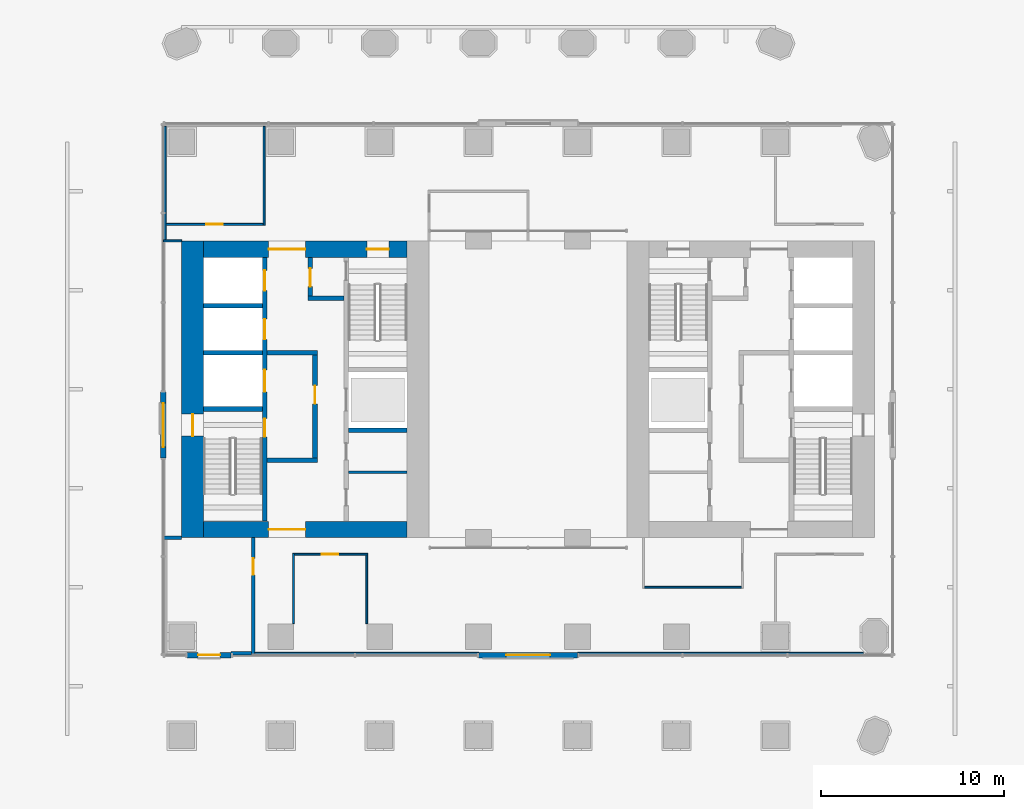
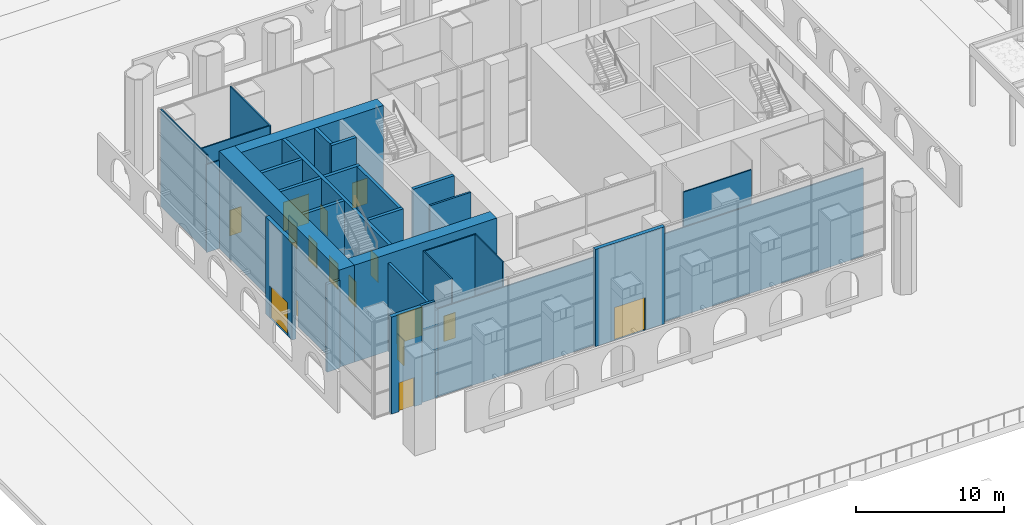
# One storey, part 30 of 54: 30 walls, 16 doors, 16 openings.
"""IFC4 building model written with IfcOpenShell, lengths in metres."""

from ifc_helpers import new_model, si_unit, direction, frame, frame_2d, origin, place, context, subcontext, project, spatial, rectangle, extrude, material, layer, layer_set, type_object, element, fill, save


model = new_model("IFC4")

# Units and contexts
model_context = context("Model", 3, precision=1e-05, world=origin(), true_north=direction((0.0, 1.0)))
body_context = subcontext(model_context, "Body", "Model", "MODEL_VIEW")
ifc_project = project(units=[si_unit("LENGTHUNIT", "METRE"), si_unit("AREAUNIT", "SQUARE_METRE"), si_unit("VOLUMEUNIT", "CUBIC_METRE"), si_unit("PLANEANGLEUNIT", "RADIAN"), si_unit("MASSUNIT", "GRAM", prefix="KILO")], contexts=[model_context])

# Site, building, storey
site_placement = place(None, origin())
site = spatial("IfcSite", under=ifc_project, at=site_placement, CompositionType="ELEMENT")
building_placement = place(site_placement, origin())
building = spatial("IfcBuilding", under=site, at=building_placement, Name="Tabaq Tower and Sports Hall", CompositionType="ELEMENT")
storey_placement = place(building_placement, origin())
storey = spatial("IfcBuildingStorey", under=building, at=storey_placement, Name="L00", CompositionType="ELEMENT", Elevation=0.0)

# Wall
ifc_material_1 = material(Name="Blockwork", Category="masonry")
ifc_layer_1 = layer(ifc_material_1, 0.14990234375)
ifc_layer_set_1 = layer_set([ifc_layer_1], Name="Core room partition 150 Blockwork")
wall_type_1 = type_object("IfcWallType", Name="Core room partition 150 Blockwork", PredefinedType="PARTITIONING", material=ifc_layer_set_1)
wall_1_placement = place(storey_placement, frame((14.5, 19.76708984375, 0.0), z_axis=(0.0, 0.0, 1.0), x_axis=(1.0, 0.0, 0.0)))
element("IfcWall", 1, at=wall_1_placement, inside=storey, type_object=wall_type_1, Name="Core room partition W L00", PredefinedType="PARTITIONING", context=body_context, shape_type="SweptSolid", body=[
    extrude(rectangle(XDim=3.199951171875, YDim=0.14990234375, at=frame_2d((1.60009765625, 0.0))), origin(), (0.0, 0.0, 1.0), 8.0),
])

# Wall, opening, door
ifc_material_2 = material(Name="Concrete C60/75", Category="concrete")
ifc_layer_2 = layer(ifc_material_2, 1.199951171875)
ifc_layer_set_2 = layer_set([ifc_layer_2], Name="Core wall 1200 Concrete C60/75")
wall_type_2 = type_object("IfcWallType", Name="Core wall 1200 Concrete C60/75", PredefinedType="SOLIDWALL", material=ifc_layer_set_2)
wall_2_placement = place(storey_placement, frame((6.0, 16.199951171875, 0.0), z_axis=(0.0, 0.0, 1.0), x_axis=(0.0, 1.0, 0.0)))
wall_2 = element("IfcWall", 2, at=wall_2_placement, inside=storey, type_object=wall_type_2, Name="Core wall W L00", PredefinedType="SOLIDWALL", context=body_context, shape_type="SweptSolid", body=[
    extrude(rectangle(XDim=16.199951171875, YDim=1.199951171875, at=frame_2d((8.10009765625, 0.0))), origin(), (0.0, 0.0, 1.0), 8.0),
])
opening_1_placement = place(wall_2_placement, frame((5.550048828125, 0.0, 0.0)))
opening_1 = element("IfcOpeningElement", 3, at=opening_1_placement, cuts=wall_2, Name="Opening ED-WL00-13", PredefinedType="OPENING", context=body_context, shape_type="SweptSolid", body=[
    extrude(rectangle(XDim=1.199951171875, YDim=2.10009765625, at=frame_2d((0.60009765625, 1.050048828125))), frame((0.0, 0.60009765625, 0.0), z_axis=(0.0, -1.0, 0.0), x_axis=(1.0, 0.0, 0.0)), (0.0, 0.0, 1.0), 1.199951171875),
])
ifc_material_3 = material(Name="Steel fire door", Category="steel")
door_type_1 = type_object("IfcDoorType", Name="Core exit door 1200", OperationType="DOUBLE_DOOR_SINGLE_SWING", PredefinedType="DOOR", material=ifc_material_3)
door_1_placement = place(opening_1_placement, origin())
door_1 = element("IfcDoor", 4, at=door_1_placement, inside=storey, type_object=door_type_1, Name="Exit door ST1 W L00", OperationType="DOUBLE_DOOR_SINGLE_SWING", OverallHeight=2.10009765625, OverallWidth=1.199951171875, PredefinedType="DOOR", context=body_context, shape_type="SweptSolid", body=[
    extrude(rectangle(XDim=1.199951171875, YDim=2.10009765625, at=frame_2d((0.60009765625, 1.050048828125))), frame((0.0, 0.02490234375, 0.0), z_axis=(0.0, -1.0, 0.0), x_axis=(1.0, 0.0, 0.0)), (0.0, 0.0, 1.0), 0.050048828125),
])
fill(opening_1, door_1)

ifc_material_4 = material(Name="Concrete C60/75", Category="concrete")
ifc_layer_3 = layer(ifc_material_4, 0.89990234375)
ifc_layer_set_3 = layer_set([ifc_layer_3], Name="Core wall 900 Concrete C60/75")
wall_type_3 = type_object("IfcWallType", Name="Core wall 900 Concrete C60/75", PredefinedType="SOLIDWALL", material=ifc_layer_set_3)
wall_3_placement = place(storey_placement, frame((17.699951171875, 16.64990234375, 0.0), z_axis=(0.0, 0.0, 1.0), x_axis=(-1.0, 0.0, 0.0)))
wall_3 = element("IfcWall", 5, at=wall_3_placement, inside=storey, type_object=wall_type_3, Name="Core wall W L00", PredefinedType="SOLIDWALL", context=body_context, shape_type="SweptSolid", body=[
    extrude(rectangle(XDim=11.099853515625, YDim=0.89990234375, at=frame_2d((5.5498046875, 0.0))), origin(), (0.0, 0.0, 1.0), 8.0),
])
opening_2_placement = place(wall_3_placement, frame((5.550048828125, 0.0, 0.0)))
opening_2 = element("IfcOpeningElement", 6, at=opening_2_placement, cuts=wall_3, Name="Opening PD-WL00-01", PredefinedType="OPENING", context=body_context, shape_type="SweptSolid", body=[
    extrude(rectangle(XDim=2.0, YDim=2.39990234375, at=frame_2d((1.0, 1.199951171875))), frame((0.0, 0.449951171875, 0.0), z_axis=(0.0, -1.0, 0.0), x_axis=(1.0, 0.0, 0.0)), (0.0, 0.0, 1.0), 0.89990234375),
])
ifc_material_5 = material(Name="Steel fire door", Category="steel")
door_type_2 = type_object("IfcDoorType", Name="Core entrance door 2000", OperationType="DOUBLE_DOOR_SINGLE_SWING", PredefinedType="DOOR", material=ifc_material_5)
door_2_placement = place(opening_2_placement, origin())
door_2 = element("IfcDoor", 7, at=door_2_placement, inside=storey, type_object=door_type_2, Name="Core entrance south W L00", OperationType="DOUBLE_DOOR_SINGLE_SWING", OverallHeight=2.39990234375, OverallWidth=2.0, PredefinedType="DOOR", context=body_context, shape_type="SweptSolid", body=[
    extrude(rectangle(XDim=2.0, YDim=2.39990234375, at=frame_2d((1.0, 1.199951171875))), frame((0.0, 0.02490234375, 0.0), z_axis=(0.0, -1.0, 0.0), x_axis=(1.0, 0.0, 0.0)), (0.0, 0.0, 1.0), 0.050048828125),
])
fill(opening_2, door_2)

# Wall, openings, doors
wall_4_placement = place(storey_placement, frame((6.60009765625, 31.949951171875, 0.0), z_axis=(0.0, 0.0, 1.0), x_axis=(1.0, 0.0, 0.0)))
wall_4 = element("IfcWall", 8, at=wall_4_placement, inside=storey, type_object=wall_type_3, Name="Core wall W L00", PredefinedType="SOLIDWALL", context=body_context, shape_type="SweptSolid", body=[
    extrude(rectangle(XDim=11.099853515625, YDim=0.89990234375, at=frame_2d((5.5498046875, 0.0))), origin(), (0.0, 0.0, 1.0), 8.0),
])
opening_3_placement = place(wall_4_placement, frame((3.550048828125, 0.0, 0.0)))
opening_3 = element("IfcOpeningElement", 9, at=opening_3_placement, cuts=wall_4, Name="Opening PD-WL00-02", PredefinedType="OPENING", context=body_context, shape_type="SweptSolid", body=[
    extrude(rectangle(XDim=2.0, YDim=2.39990234375, at=frame_2d((1.0, 1.199951171875))), frame((0.0, 0.449951171875, 0.0), z_axis=(0.0, -1.0, 0.0), x_axis=(1.0, 0.0, 0.0)), (0.0, 0.0, 1.0), 0.89990234375),
])
opening_4_placement = place(wall_4_placement, frame((8.89990234375, 0.0, 0.0)))
opening_4 = element("IfcOpeningElement", 10, at=opening_4_placement, cuts=wall_4, Name="Opening ED-WL00-14", PredefinedType="OPENING", context=body_context, shape_type="SweptSolid", body=[
    extrude(rectangle(XDim=1.199951171875, YDim=2.10009765625, at=frame_2d((0.60009765625, 1.050048828125))), frame((0.0, 0.449951171875, 0.0), z_axis=(0.0, -1.0, 0.0), x_axis=(1.0, 0.0, 0.0)), (0.0, 0.0, 1.0), 0.89990234375),
])
door_3_placement = place(opening_3_placement, origin())
door_3 = element("IfcDoor", 11, at=door_3_placement, inside=storey, type_object=door_type_2, Name="Core entrance north W L00", OperationType="DOUBLE_DOOR_SINGLE_SWING", OverallHeight=2.39990234375, OverallWidth=2.0, PredefinedType="DOOR", context=body_context, shape_type="SweptSolid", body=[
    extrude(rectangle(XDim=2.0, YDim=2.39990234375, at=frame_2d((1.0, 1.199951171875))), frame((0.0, 0.02490234375, 0.0), z_axis=(0.0, -1.0, 0.0), x_axis=(1.0, 0.0, 0.0)), (0.0, 0.0, 1.0), 0.050048828125),
])
fill(opening_3, door_3)
door_4_placement = place(opening_4_placement, origin())
door_4 = element("IfcDoor", 12, at=door_4_placement, inside=storey, type_object=door_type_1, Name="Exit door ST2 W L00", OperationType="DOUBLE_DOOR_SINGLE_SWING", OverallHeight=2.10009765625, OverallWidth=1.199951171875, PredefinedType="DOOR", context=body_context, shape_type="SweptSolid", body=[
    extrude(rectangle(XDim=1.199951171875, YDim=2.10009765625, at=frame_2d((0.60009765625, 1.050048828125))), frame((0.0, 0.02490234375, 0.0), z_axis=(0.0, -1.0, 0.0), x_axis=(1.0, 0.0, 0.0)), (0.0, 0.0, 1.0), 0.050048828125),
])
fill(opening_4, door_4)

# Wall, opening, door
ifc_material_6 = material(Name="Blockwork", Category="masonry")
ifc_layer_4 = layer(ifc_material_6, 0.199951171875)
ifc_layer_set_4 = layer_set([ifc_layer_4], Name="Fire compartment wall 200 Blockwork")
wall_type_4 = type_object("IfcWallType", Name="Fire compartment wall 200 Blockwork", PredefinedType="PARTITIONING", material=ifc_layer_set_4)
wall_5_placement = place(storey_placement, frame((9.300048828125, 9.800048828125, 0.0), z_axis=(0.0, 0.0, 1.0), x_axis=(0.0, 1.0, 0.0)))
wall_5 = element("IfcWall", 13, at=wall_5_placement, inside=storey, type_object=wall_type_4, Name="Compartment wall L00", PredefinedType="PARTITIONING", context=body_context, shape_type="SweptSolid", body=[
    extrude(rectangle(XDim=6.39990234375, YDim=0.199951171875, at=frame_2d((3.199951171875, 0.0))), origin(), (0.0, 0.0, 1.0), 7.25),
])
opening_5_placement = place(wall_5_placement, frame((4.375, 0.0, 0.0)))
opening_5 = element("IfcOpeningElement", 14, at=opening_5_placement, cuts=wall_5, Name="Opening L00-002", PredefinedType="OPENING", context=body_context, shape_type="SweptSolid", body=[
    extrude(rectangle(XDim=0.89990234375, YDim=2.10009765625, at=frame_2d((0.449951171875, 1.050048828125))), frame((0.0, 0.10009765625, 0.0), z_axis=(0.0, -1.0, 0.0), x_axis=(1.0, 0.0, 0.0)), (0.0, 0.0, 1.0), 0.199951171875),
])
ifc_material_7 = material(Name="Steel fire door", Category="steel")
door_type_3 = type_object("IfcDoorType", Name="Plant room door 900 right hand", OperationType="SINGLE_SWING_RIGHT", PredefinedType="DOOR", material=ifc_material_7)
door_5_placement = place(opening_5_placement, origin())
door_5 = element("IfcDoor", 15, at=door_5_placement, inside=storey, type_object=door_type_3, Name="Plant room door L00-002", OperationType="SINGLE_SWING_RIGHT", OverallHeight=2.10009765625, OverallWidth=0.89990234375, PredefinedType="DOOR", context=body_context, shape_type="SweptSolid", body=[
    extrude(rectangle(XDim=0.89990234375, YDim=2.10009765625, at=frame_2d((0.449951171875, 1.050048828125))), frame((0.0, 0.02490234375, 0.0), z_axis=(0.0, -1.0, 0.0), x_axis=(1.0, 0.0, 0.0)), (0.0, 0.0, 1.0), 0.050048828125),
])
fill(opening_5, door_5)

# Walls
wall_6_placement = place(storey_placement, frame((5.39990234375, 16.199951171875, 0.0), z_axis=(0.0, 0.0, 1.0), x_axis=(-1.0, 0.0, 0.0)))
element("IfcWall", 16, at=wall_6_placement, inside=storey, type_object=wall_type_4, Name="Compartment wall L00", PredefinedType="PARTITIONING", context=body_context, shape_type="SweptSolid", body=[
    extrude(rectangle(XDim=1.0, YDim=0.199951171875, at=frame_2d((0.5, 0.0))), origin(), (0.0, 0.0, 1.0), 7.25),
])
wall_7_placement = place(storey_placement, frame((8.10009765625, 9.89990234375, 0.0), z_axis=(0.0, 0.0, 1.0), x_axis=(1.0, 0.0, 0.0)))
element("IfcWall", 17, at=wall_7_placement, inside=storey, type_object=wall_type_4, Name="Compartment wall L00", PredefinedType="PARTITIONING", context=body_context, shape_type="SweptSolid", body=[
    extrude(rectangle(XDim=1.099853515625, YDim=0.199951171875, at=frame_2d((0.5498046875, 0.0))), origin(), (0.0, 0.0, 1.0), 8.0),
])
ifc_material_8 = material(Name="Gypsum board on steel studs", Category="steel")
ifc_layer_5 = layer(ifc_material_8, 0.10009765625)
ifc_layer_set_5 = layer_set([ifc_layer_5], Name="Partition 100 Gypsum board")
wall_type_5 = type_object("IfcWallType", Name="Partition 100 Gypsum board", PredefinedType="PARTITIONING", material=ifc_layer_set_5)
wall_8_placement = place(storey_placement, frame((9.89990234375, 38.64990234375, 0.0), z_axis=(0.0, 0.0, 1.0), x_axis=(0.0, -1.0, 0.0)))
element("IfcWall", 18, at=wall_8_placement, inside=storey, type_object=wall_type_5, Name="Partition wall L00", PredefinedType="PARTITIONING", context=body_context, shape_type="SweptSolid", body=[
    extrude(rectangle(XDim=5.39990234375, YDim=0.10009765625, at=frame_2d((2.699951171875, 0.0))), origin(), (0.0, 0.0, 1.0), 8.0),
])

# Wall, opening, door
wall_9_placement = place(storey_placement, frame((9.85009765625, 33.300048828125, 0.0), z_axis=(0.0, 0.0, 1.0), x_axis=(-1.0, 0.0, 0.0)))
wall_9 = element("IfcWall", 19, at=wall_9_placement, inside=storey, type_object=wall_type_5, Name="Partition wall L00", PredefinedType="PARTITIONING", context=body_context, shape_type="SweptSolid", body=[
    extrude(rectangle(XDim=5.300048828125, YDim=0.10009765625, at=frame_2d((2.64990234375, 0.0))), origin(), (0.0, 0.0, 1.0), 8.0),
])
opening_6_placement = place(wall_9_placement, frame((2.199951171875, 0.0, 0.0)))
opening_6 = element("IfcOpeningElement", 20, at=opening_6_placement, cuts=wall_9, Name="Opening L00-003", PredefinedType="OPENING", context=body_context, shape_type="SweptSolid", body=[
    extrude(rectangle(XDim=0.89990234375, YDim=2.10009765625, at=frame_2d((0.449951171875, 1.050048828125))), frame((0.0, 0.050048828125, 0.0), z_axis=(0.0, -1.0, 0.0), x_axis=(1.0, 0.0, 0.0)), (0.0, 0.0, 1.0), 0.10009765625),
])
ifc_material_9 = material(Name="Timber leaf in steel frame", Category="steel")
door_type_4 = type_object("IfcDoorType", Name="Internal door 900 right hand", OperationType="SINGLE_SWING_RIGHT", PredefinedType="DOOR", material=ifc_material_9)
door_6_placement = place(opening_6_placement, origin())
door_6 = element("IfcDoor", 21, at=door_6_placement, inside=storey, type_object=door_type_4, Name="Internal door L00-003", OperationType="SINGLE_SWING_RIGHT", OverallHeight=2.10009765625, OverallWidth=0.89990234375, PredefinedType="DOOR", context=body_context, shape_type="SweptSolid", body=[
    extrude(rectangle(XDim=0.89990234375, YDim=2.10009765625, at=frame_2d((0.449951171875, 1.050048828125))), frame((0.0, 0.02490234375, 0.0), z_axis=(0.0, -1.0, 0.0), x_axis=(1.0, 0.0, 0.0)), (0.0, 0.0, 1.0), 0.050048828125),
])
fill(opening_6, door_6)

# Walls
wall_10_placement = place(storey_placement, frame((4.39990234375, 32.39990234375, 0.0), z_axis=(0.0, 0.0, 1.0), x_axis=(1.0, 0.0, 0.0)))
element("IfcWall", 22, at=wall_10_placement, inside=storey, type_object=wall_type_5, Name="Partition wall L00", PredefinedType="PARTITIONING", context=body_context, shape_type="SweptSolid", body=[
    extrude(rectangle(XDim=1.0, YDim=0.10009765625, at=frame_2d((0.5, 0.0))), origin(), (0.0, 0.0, 1.0), 7.25),
])
wall_11_placement = place(storey_placement, frame((11.5, 11.52001953125, 0.0), z_axis=(0.0, 0.0, 1.0), x_axis=(0.0, 1.0, 0.0)))
element("IfcWall", 23, at=wall_11_placement, inside=storey, type_object=wall_type_5, Name="Partition wall L00", PredefinedType="PARTITIONING", context=body_context, shape_type="SweptSolid", body=[
    extrude(rectangle(XDim=3.830078125, YDim=0.10009765625, at=frame_2d((1.9150390625, 0.0))), origin(), (0.0, 0.0, 1.0), 8.0),
])

# Wall, opening, door
wall_12_placement = place(storey_placement, frame((11.550048828125, 15.300048828125, 0.0), z_axis=(0.0, 0.0, 1.0), x_axis=(1.0, 0.0, 0.0)))
wall_12 = element("IfcWall", 24, at=wall_12_placement, inside=storey, type_object=wall_type_5, Name="Partition wall L00", PredefinedType="PARTITIONING", context=body_context, shape_type="SweptSolid", body=[
    extrude(rectangle(XDim=4.0, YDim=0.10009765625, at=frame_2d((2.0, 0.0))), origin(), (0.0, 0.0, 1.0), 8.0),
])
opening_7_placement = place(wall_12_placement, frame((1.5, 0.0, 0.0)))
opening_7 = element("IfcOpeningElement", 25, at=opening_7_placement, cuts=wall_12, Name="Opening L00-005", PredefinedType="OPENING", context=body_context, shape_type="SweptSolid", body=[
    extrude(rectangle(XDim=0.89990234375, YDim=2.10009765625, at=frame_2d((0.449951171875, 1.050048828125))), frame((0.0, 0.050048828125, 0.0), z_axis=(0.0, -1.0, 0.0), x_axis=(1.0, 0.0, 0.0)), (0.0, 0.0, 1.0), 0.10009765625),
])
door_7_placement = place(opening_7_placement, origin())
door_7 = element("IfcDoor", 26, at=door_7_placement, inside=storey, type_object=door_type_4, Name="Internal door L00-005", OperationType="SINGLE_SWING_RIGHT", OverallHeight=2.10009765625, OverallWidth=0.89990234375, PredefinedType="DOOR", context=body_context, shape_type="SweptSolid", body=[
    extrude(rectangle(XDim=0.89990234375, YDim=2.10009765625, at=frame_2d((0.449951171875, 1.050048828125))), frame((0.0, 0.02490234375, 0.0), z_axis=(0.0, -1.0, 0.0), x_axis=(1.0, 0.0, 0.0)), (0.0, 0.0, 1.0), 0.050048828125),
])
fill(opening_7, door_7)

# Walls
wall_13_placement = place(storey_placement, frame((15.5, 15.25, 0.0), z_axis=(0.0, 0.0, 1.0), x_axis=(0.0, -1.0, 0.0)))
element("IfcWall", 27, at=wall_13_placement, inside=storey, type_object=wall_type_5, Name="Partition wall L00", PredefinedType="PARTITIONING", context=body_context, shape_type="SweptSolid", body=[
    extrude(rectangle(XDim=3.72998046875, YDim=0.10009765625, at=frame_2d((1.864990234375, 0.0))), origin(), (0.0, 0.0, 1.0), 8.0),
])
wall_14_placement = place(storey_placement, frame((35.949951171875, 13.5, 0.0), z_axis=(0.0, 0.0, 1.0), x_axis=(-1.0, 0.0, 0.0)))
element("IfcWall", 28, at=wall_14_placement, inside=storey, type_object=wall_type_5, Name="Partition wall L00", PredefinedType="PARTITIONING", context=body_context, shape_type="SweptSolid", body=[
    extrude(rectangle(XDim=5.300048828125, YDim=0.10009765625, at=frame_2d((2.64990234375, 0.0))), origin(), (0.0, 0.0, 1.0), 7.25),
])
wall_15_placement = place(storey_placement, frame((4.5, 38.64990234375, 0.0), z_axis=(0.0, 0.0, 1.0), x_axis=(0.0, -1.0, 0.0)))
element("IfcWall", 29, at=wall_15_placement, inside=storey, type_object=wall_type_5, Name="Partition wall L00", PredefinedType="PARTITIONING", context=body_context, shape_type="SweptSolid", body=[
    extrude(rectangle(XDim=6.199951171875, YDim=0.10009765625, at=frame_2d((3.10009765625, 0.0))), origin(), (0.0, 0.0, 1.0), 8.0),
])
wall_16_placement = place(storey_placement, frame((9.39990234375, 9.89990234375, 0.0), z_axis=(0.0, 0.0, 1.0), x_axis=(1.0, 0.0, 0.0)))
element("IfcWall", 30, at=wall_16_placement, inside=storey, type_object=wall_type_5, Name="Partition wall L00", PredefinedType="PARTITIONING", context=body_context, shape_type="SweptSolid", body=[
    extrude(rectangle(XDim=12.2001953125, YDim=0.10009765625, at=frame_2d((6.10009765625, 0.0))), origin(), (0.0, 0.0, 1.0), 7.25),
])
wall_17_placement = place(storey_placement, frame((27.0, 9.89990234375, 0.0), z_axis=(0.0, 0.0, 1.0), x_axis=(1.0, 0.0, 0.0)))
element("IfcWall", 31, at=wall_17_placement, inside=storey, type_object=wall_type_5, Name="Partition wall L00", PredefinedType="PARTITIONING", context=body_context, shape_type="SweptSolid", body=[
    extrude(rectangle(XDim=15.60009765625, YDim=0.10009765625, at=frame_2d((7.800048828125, 0.0))), origin(), (0.0, 0.0, 1.0), 7.25),
])

# Wall, openings, doors
ifc_material_10 = material(Name="Concrete C40/50", Category="concrete")
ifc_layer_6 = layer(ifc_material_10, 0.25)
ifc_layer_set_6 = layer_set([ifc_layer_6], Name="Shaft and stair wall 250 Concrete C40/50")
wall_type_6 = type_object("IfcWallType", Name="Shaft and stair wall 250 Concrete C40/50", PredefinedType="SOLIDWALL", material=ifc_layer_set_6)
wall_18_placement = place(storey_placement, frame((9.925048828125, 17.10009765625, 0.0), z_axis=(0.0, 0.0, 1.0), x_axis=(0.0, 1.0, 0.0)))
wall_18 = element("IfcWall", 32, at=wall_18_placement, inside=storey, type_object=wall_type_6, Name="Shaft wall W L00", PredefinedType="SOLIDWALL", context=body_context, shape_type="SweptSolid", body=[
    extrude(rectangle(XDim=14.39990234375, YDim=0.25, at=frame_2d((7.199951171875, 0.0))), origin(), (0.0, 0.0, 1.0), 8.0),
])
opening_8_placement = place(wall_18_placement, frame((4.60009765625, 0.0, 0.0)))
opening_8 = element("IfcOpeningElement", 33, at=opening_8_placement, cuts=wall_18, Name="Opening SD-WL00-03", PredefinedType="OPENING", context=body_context, shape_type="SweptSolid", body=[
    extrude(rectangle(XDim=1.0, YDim=2.10009765625, at=frame_2d((0.5, 1.050048828125))), frame((0.0, 0.125, 0.0), z_axis=(0.0, -1.0, 0.0), x_axis=(1.0, 0.0, 0.0)), (0.0, 0.0, 1.0), 0.25),
])
opening_9_placement = place(wall_18_placement, frame((7.0625, 0.0, 0.0)))
opening_9 = element("IfcOpeningElement", 34, at=opening_9_placement, cuts=wall_18, Name="Opening LD-FF1-L00", PredefinedType="OPENING", context=body_context, shape_type="SweptSolid", body=[
    extrude(rectangle(XDim=1.199951171875, YDim=2.10009765625, at=frame_2d((0.60009765625, 1.050048828125))), frame((0.0, 0.125, 0.0), z_axis=(0.0, -1.0, 0.0), x_axis=(1.0, 0.0, 0.0)), (0.0, 0.0, 1.0), 0.25),
])
opening_10_placement = place(wall_18_placement, frame((9.925048828125, 0.0, 0.0)))
opening_10 = element("IfcOpeningElement", 35, at=opening_10_placement, cuts=wall_18, Name="Opening LD-LR1-L00", PredefinedType="OPENING", context=body_context, shape_type="SweptSolid", body=[
    extrude(rectangle(XDim=1.10009765625, YDim=2.10009765625, at=frame_2d((0.550048828125, 1.050048828125))), frame((0.0, 0.125, 0.0), z_axis=(0.0, -1.0, 0.0), x_axis=(1.0, 0.0, 0.0)), (0.0, 0.0, 1.0), 0.25),
])
opening_11_placement = place(wall_18_placement, frame((12.58740234375, 0.0, 0.0)))
opening_11 = element("IfcOpeningElement", 36, at=opening_11_placement, cuts=wall_18, Name="Opening LD-LR2-L00", PredefinedType="OPENING", context=body_context, shape_type="SweptSolid", body=[
    extrude(rectangle(XDim=1.10009765625, YDim=2.10009765625, at=frame_2d((0.550048828125, 1.050048828125))), frame((0.0, 0.125, 0.0), z_axis=(0.0, -1.0, 0.0), x_axis=(1.0, 0.0, 0.0)), (0.0, 0.0, 1.0), 0.25),
])
ifc_material_11 = material(Name="Stainless steel", Category="steel")
door_type_5 = type_object("IfcDoorType", Name="Lift landing door 1100", OperationType="DOUBLE_DOOR_SLIDING", PredefinedType="DOOR", material=ifc_material_11)
door_8_placement = place(opening_10_placement, origin())
door_8 = element("IfcDoor", 37, at=door_8_placement, inside=storey, type_object=door_type_5, Name="Lift landing door LR1 W L00", OperationType="DOUBLE_DOOR_SLIDING", OverallHeight=2.10009765625, OverallWidth=1.10009765625, PredefinedType="DOOR", context=body_context, shape_type="SweptSolid", body=[
    extrude(rectangle(XDim=1.10009765625, YDim=2.10009765625, at=frame_2d((0.550048828125, 1.050048828125))), frame((0.0, 0.02490234375, 0.0), z_axis=(0.0, -1.0, 0.0), x_axis=(1.0, 0.0, 0.0)), (0.0, 0.0, 1.0), 0.050048828125),
])
fill(opening_10, door_8)
door_9_placement = place(opening_11_placement, origin())
door_9 = element("IfcDoor", 38, at=door_9_placement, inside=storey, type_object=door_type_5, Name="Lift landing door LR2 W L00", OperationType="DOUBLE_DOOR_SLIDING", OverallHeight=2.10009765625, OverallWidth=1.10009765625, PredefinedType="DOOR", context=body_context, shape_type="SweptSolid", body=[
    extrude(rectangle(XDim=1.10009765625, YDim=2.10009765625, at=frame_2d((0.550048828125, 1.050048828125))), frame((0.0, 0.02490234375, 0.0), z_axis=(0.0, -1.0, 0.0), x_axis=(1.0, 0.0, 0.0)), (0.0, 0.0, 1.0), 0.050048828125),
])
fill(opening_11, door_9)
ifc_material_12 = material(Name="Stainless steel", Category="steel")
door_type_6 = type_object("IfcDoorType", Name="Lift landing door 1200", OperationType="DOUBLE_DOOR_SLIDING", PredefinedType="DOOR", material=ifc_material_12)
door_10_placement = place(opening_9_placement, origin())
door_10 = element("IfcDoor", 39, at=door_10_placement, inside=storey, type_object=door_type_6, Name="Lift landing door FF1 W L00", OperationType="DOUBLE_DOOR_SLIDING", OverallHeight=2.10009765625, OverallWidth=1.199951171875, PredefinedType="DOOR", context=body_context, shape_type="SweptSolid", body=[
    extrude(rectangle(XDim=1.199951171875, YDim=2.10009765625, at=frame_2d((0.60009765625, 1.050048828125))), frame((0.0, 0.02490234375, 0.0), z_axis=(0.0, -1.0, 0.0), x_axis=(1.0, 0.0, 0.0)), (0.0, 0.0, 1.0), 0.050048828125),
])
fill(opening_9, door_10)
ifc_material_13 = material(Name="Steel fire door", Category="steel")
door_type_7 = type_object("IfcDoorType", Name="Stair door 1000", OperationType="SINGLE_SWING_LEFT", PredefinedType="DOOR", material=ifc_material_13)
door_11_placement = place(opening_8_placement, origin())
door_11 = element("IfcDoor", 40, at=door_11_placement, inside=storey, type_object=door_type_7, Name="Stair door ST1 W L00", OperationType="SINGLE_SWING_LEFT", OverallHeight=2.10009765625, OverallWidth=1.0, PredefinedType="DOOR", context=body_context, shape_type="SweptSolid", body=[
    extrude(rectangle(XDim=1.0, YDim=2.10009765625, at=frame_2d((0.5, 1.050048828125))), frame((0.0, 0.02490234375, 0.0), z_axis=(0.0, -1.0, 0.0), x_axis=(1.0, 0.0, 0.0)), (0.0, 0.0, 1.0), 0.050048828125),
])
fill(opening_8, door_11)

# Walls
for number, where, z_axis, x_axis, name in (
    (41, (6.60009765625, 23.22509765625, 0.0), (0.0, 0.0, 1.0), (1.0, 0.0, 0.0), "Stair enclosure wall W L00"),
    (42, (14.5, 22.074951171875, 0.0), (0.0, 0.0, 1.0), (1.0, 0.0, 0.0), "Shaft wall W L00"),
    (43, (6.60009765625, 26.300048828125, 0.0), (0.0, 0.0, 1.0), (1.0, 0.0, 0.0), "Shaft wall W L00"),
):
    element("IfcWall", number, at=place(storey_placement, frame(where, z_axis=z_axis, x_axis=x_axis)), inside=storey, type_object=wall_type_6, Name=name, PredefinedType="SOLIDWALL", context=body_context, shape_type="SweptSolid", body=[
        extrude(rectangle(XDim=3.199951171875, YDim=0.25, at=frame_2d((1.60009765625, 0.0))), origin(), (0.0, 0.0, 1.0), 8.0),
    ])
for number, where, z_axis, x_axis, name in (
    (44, (10.050048828125, 26.300048828125, 0.0), (0.0, 0.0, 1.0), (1.0, 0.0, 0.0), "Fire-fighting lobby wall W L00"),
    (45, (10.050048828125, 20.425048828125, 0.0), (0.0, 0.0, 1.0), (1.0, 0.0, 0.0), "Fire-fighting lobby wall W L00"),
):
    element("IfcWall", number, at=place(storey_placement, frame(where, z_axis=z_axis, x_axis=x_axis)), inside=storey, type_object=wall_type_6, Name=name, PredefinedType="SOLIDWALL", context=body_context, shape_type="SweptSolid", body=[
        extrude(rectangle(XDim=2.75, YDim=0.25, at=frame_2d((1.375, 0.0))), origin(), (0.0, 0.0, 1.0), 8.0),
    ])

# Wall, opening, door
wall_19_placement = place(storey_placement, frame((12.425048828125, 29.39990234375, 0.0), z_axis=(0.0, 0.0, 1.0), x_axis=(0.0, 1.0, 0.0)))
wall_19 = element("IfcWall", 46, at=wall_19_placement, inside=storey, type_object=wall_type_6, Name="Fire-fighting lobby wall W L00", PredefinedType="SOLIDWALL", context=body_context, shape_type="SweptSolid", body=[
    extrude(rectangle(XDim=2.10009765625, YDim=0.25, at=frame_2d((1.050048828125, 0.0))), origin(), (0.0, 0.0, 1.0), 8.0),
])
opening_12_placement = place(wall_19_placement, frame((0.5, 0.0, 0.0)))
opening_12 = element("IfcOpeningElement", 47, at=opening_12_placement, cuts=wall_19, Name="Opening FD-WL00-06", PredefinedType="OPENING", context=body_context, shape_type="SweptSolid", body=[
    extrude(rectangle(XDim=1.0, YDim=2.10009765625, at=frame_2d((0.5, 1.050048828125))), frame((0.0, 0.125, 0.0), z_axis=(0.0, -1.0, 0.0), x_axis=(1.0, 0.0, 0.0)), (0.0, 0.0, 1.0), 0.25),
])
ifc_material_14 = material(Name="Steel fire door", Category="steel")
door_type_8 = type_object("IfcDoorType", Name="Fire-fighting lobby door 1000", OperationType="SINGLE_SWING_LEFT", PredefinedType="DOOR", material=ifc_material_14)
door_12_placement = place(opening_12_placement, origin())
door_12 = element("IfcDoor", 48, at=door_12_placement, inside=storey, type_object=door_type_8, Name="Stair lobby door W L00", OperationType="SINGLE_SWING_LEFT", OverallHeight=2.10009765625, OverallWidth=1.0, PredefinedType="DOOR", context=body_context, shape_type="SweptSolid", body=[
    extrude(rectangle(XDim=1.0, YDim=2.10009765625, at=frame_2d((0.5, 1.050048828125))), frame((0.0, 0.02490234375, 0.0), z_axis=(0.0, -1.0, 0.0), x_axis=(1.0, 0.0, 0.0)), (0.0, 0.0, 1.0), 0.050048828125),
])
fill(opening_12, door_12)

# Wall
wall_20_placement = place(storey_placement, frame((12.300048828125, 29.27490234375, 0.0), z_axis=(0.0, 0.0, 1.0), x_axis=(1.0, 0.0, 0.0)))
element("IfcWall", 49, at=wall_20_placement, inside=storey, type_object=wall_type_6, Name="Fire-fighting lobby wall W L00", PredefinedType="SOLIDWALL", context=body_context, shape_type="SweptSolid", body=[
    extrude(rectangle(XDim=1.949951171875, YDim=0.25, at=frame_2d((0.97509765625, 0.0))), origin(), (0.0, 0.0, 1.0), 8.0),
])

# Wall, opening, door
wall_21_placement = place(storey_placement, frame((12.675048828125, 20.550048828125, 0.0), z_axis=(0.0, 0.0, 1.0), x_axis=(0.0, 1.0, 0.0)))
wall_21 = element("IfcWall", 50, at=wall_21_placement, inside=storey, type_object=wall_type_6, Name="Fire-fighting lobby wall W L00", PredefinedType="SOLIDWALL", context=body_context, shape_type="SweptSolid", body=[
    extrude(rectangle(XDim=5.625, YDim=0.25, at=frame_2d((2.8125, 0.0))), origin(), (0.0, 0.0, 1.0), 8.0),
])
opening_13_placement = place(wall_21_placement, frame((2.949951171875, 0.0, 0.0)))
opening_13 = element("IfcOpeningElement", 51, at=opening_13_placement, cuts=wall_21, Name="Opening FD-WL00-04", PredefinedType="OPENING", context=body_context, shape_type="SweptSolid", body=[
    extrude(rectangle(XDim=1.0, YDim=2.10009765625, at=frame_2d((0.5, 1.050048828125))), frame((0.0, 0.125, 0.0), z_axis=(0.0, -1.0, 0.0), x_axis=(1.0, 0.0, 0.0)), (0.0, 0.0, 1.0), 0.25),
])
door_13_placement = place(opening_13_placement, origin())
door_13 = element("IfcDoor", 52, at=door_13_placement, inside=storey, type_object=door_type_8, Name="Fire-fighting lobby door W L00", OperationType="SINGLE_SWING_LEFT", OverallHeight=2.10009765625, OverallWidth=1.0, PredefinedType="DOOR", context=body_context, shape_type="SweptSolid", body=[
    extrude(rectangle(XDim=1.0, YDim=2.10009765625, at=frame_2d((0.5, 1.050048828125))), frame((0.0, 0.02490234375, 0.0), z_axis=(0.0, -1.0, 0.0), x_axis=(1.0, 0.0, 0.0)), (0.0, 0.0, 1.0), 0.050048828125),
])
fill(opening_13, door_13)

# Wall
wall_22_placement = place(storey_placement, frame((6.60009765625, 28.85009765625, 0.0), z_axis=(0.0, 0.0, 1.0), x_axis=(1.0, 0.0, 0.0)))
element("IfcWall", 53, at=wall_22_placement, inside=storey, type_object=wall_type_6, Name="Shaft wall W L00", PredefinedType="SOLIDWALL", context=body_context, shape_type="SweptSolid", body=[
    extrude(rectangle(XDim=3.199951171875, YDim=0.25, at=frame_2d((1.60009765625, 0.0))), origin(), (0.0, 0.0, 1.0), 8.0),
])

# Wall, opening, door
ifc_material_15 = material(Name="White precast concrete C60/75", Category="concrete")
ifc_layer_7 = layer(ifc_material_15, 0.300048828125)
ifc_layer_set_7 = layer_set([ifc_layer_7], Name="White precast concrete C60/75 external wall 300")
wall_type_7 = type_object("IfcWallType", Name="White precast concrete C60/75 external wall 300", PredefinedType="SOLIDWALL", material=ifc_layer_set_7)
wall_23_placement = place(storey_placement, frame((27.0, 9.800048828125, 0.0), z_axis=(0.0, 0.0, 1.0), x_axis=(-1.0, 0.0, 0.0)))
wall_23 = element("IfcWall", 54, at=wall_23_placement, inside=storey, type_object=wall_type_7, Name="Entrance wall S", PredefinedType="SOLIDWALL", context=body_context, shape_type="SweptSolid", body=[
    extrude(rectangle(XDim=5.39990234375, YDim=0.300048828125, at=frame_2d((2.699951171875, 0.0))), origin(), (0.0, 0.0, 1.0), 8.0),
])
opening_14_placement = place(wall_23_placement, frame((1.5, 0.0, 0.0)))
opening_14 = element("IfcOpeningElement", 55, at=opening_14_placement, cuts=wall_23, Name="Opening ED01", PredefinedType="OPENING", context=body_context, shape_type="SweptSolid", body=[
    extrude(rectangle(XDim=2.39990234375, YDim=2.699951171875, at=frame_2d((1.199951171875, 1.35009765625))), frame((0.0, 0.16015625, 0.0), z_axis=(0.0, -1.0, 0.0), x_axis=(1.0, 0.0, 0.0)), (0.0, 0.0, 1.0), 0.320068359375),
])
ifc_material_16 = material(Name="Aluminium framed clear glazing", Category="aluminium")
door_type_9 = type_object("IfcDoorType", Name="Entrance door ED1", OperationType="DOUBLE_DOOR_DOUBLE_SWING", PredefinedType="DOOR", material=ifc_material_16)
door_14_placement = place(opening_14_placement, origin())
door_14 = element("IfcDoor", 56, at=door_14_placement, inside=storey, type_object=door_type_9, Name="Entrance door ED01", OperationType="DOUBLE_DOOR_DOUBLE_SWING", OverallHeight=2.699951171875, OverallWidth=2.39990234375, PredefinedType="DOOR", context=body_context, shape_type="SweptSolid", body=[
    extrude(rectangle(XDim=2.39990234375, YDim=2.699951171875, at=frame_2d((1.199951171875, 1.35009765625))), frame((0.0, 0.02490234375, 0.0), z_axis=(0.0, -1.0, 0.0), x_axis=(1.0, 0.0, 0.0)), (0.0, 0.0, 1.0), 0.050048828125),
])
fill(opening_14, door_14)

wall_24_placement = place(storey_placement, frame((8.10009765625, 9.800048828125, 0.0), z_axis=(0.0, 0.0, 1.0), x_axis=(-1.0, 0.0, 0.0)))
wall_24 = element("IfcWall", 57, at=wall_24_placement, inside=storey, type_object=wall_type_7, Name="Entrance wall S", PredefinedType="SOLIDWALL", context=body_context, shape_type="SweptSolid", body=[
    extrude(rectangle(XDim=2.400146484375, YDim=0.300048828125, at=frame_2d((1.2001953125, 0.0))), origin(), (0.0, 0.0, 1.0), 8.0),
])
opening_15_placement = place(wall_24_placement, frame((0.60009765625, 0.0, 0.0)))
opening_15 = element("IfcOpeningElement", 58, at=opening_15_placement, cuts=wall_24, Name="Opening ED02", PredefinedType="OPENING", context=body_context, shape_type="SweptSolid", body=[
    extrude(rectangle(XDim=1.199951171875, YDim=2.39990234375, at=frame_2d((0.60009765625, 1.199951171875))), frame((0.0, 0.16015625, 0.0), z_axis=(0.0, -1.0, 0.0), x_axis=(1.0, 0.0, 0.0)), (0.0, 0.0, 1.0), 0.320068359375),
])
ifc_material_17 = material(Name="Steel fire door set EI 120", Category="steel")
door_type_10 = type_object("IfcDoorType", Name="Fire command room door FD120S", OperationType="SINGLE_SWING_LEFT", PredefinedType="DOOR", material=ifc_material_17)
door_15_placement = place(opening_15_placement, origin())
door_15 = element("IfcDoor", 59, at=door_15_placement, inside=storey, type_object=door_type_10, Name="Fire command room door ED02", OperationType="SINGLE_SWING_LEFT", OverallHeight=2.39990234375, OverallWidth=1.199951171875, PredefinedType="DOOR", context=body_context, shape_type="SweptSolid", body=[
    extrude(rectangle(XDim=1.199951171875, YDim=2.39990234375, at=frame_2d((0.60009765625, 1.199951171875))), frame((0.0, 0.02490234375, 0.0), z_axis=(0.0, -1.0, 0.0), x_axis=(1.0, 0.0, 0.0)), (0.0, 0.0, 1.0), 0.050048828125),
])
fill(opening_15, door_15)

wall_25_placement = place(storey_placement, frame((4.39990234375, 20.550048828125, 0.0), z_axis=(0.0, 0.0, 1.0), x_axis=(0.0, 1.0, 0.0)))
wall_25 = element("IfcWall", 60, at=wall_25_placement, inside=storey, type_object=wall_type_7, Name="Entrance wall W", PredefinedType="SOLIDWALL", context=body_context, shape_type="SweptSolid", body=[
    extrude(rectangle(XDim=3.599853515625, YDim=0.300048828125, at=frame_2d((1.7998046875, 0.0))), origin(), (0.0, 0.0, 1.0), 8.0),
])
opening_16_placement = place(wall_25_placement, frame((0.60009765625, 0.0, 0.0)))
opening_16 = element("IfcOpeningElement", 61, at=opening_16_placement, cuts=wall_25, Name="Opening ED04", PredefinedType="OPENING", context=body_context, shape_type="SweptSolid", body=[
    extrude(rectangle(XDim=2.39990234375, YDim=2.699951171875, at=frame_2d((1.199951171875, 1.35009765625))), frame((0.0, 0.16015625, 0.0), z_axis=(0.0, -1.0, 0.0), x_axis=(1.0, 0.0, 0.0)), (0.0, 0.0, 1.0), 0.320068359375),
])
door_16_placement = place(opening_16_placement, origin())
door_16 = element("IfcDoor", 62, at=door_16_placement, inside=storey, type_object=door_type_9, Name="Exit door ED04", OperationType="DOUBLE_DOOR_DOUBLE_SWING", OverallHeight=2.699951171875, OverallWidth=2.39990234375, PredefinedType="DOOR", context=body_context, shape_type="SweptSolid", body=[
    extrude(rectangle(XDim=2.39990234375, YDim=2.699951171875, at=frame_2d((1.199951171875, 1.35009765625))), frame((0.0, 0.02490234375, 0.0), z_axis=(0.0, -1.0, 0.0), x_axis=(1.0, 0.0, 0.0)), (0.0, 0.0, 1.0), 0.050048828125),
])
fill(opening_16, door_16)

save(model, "model.ifc")
